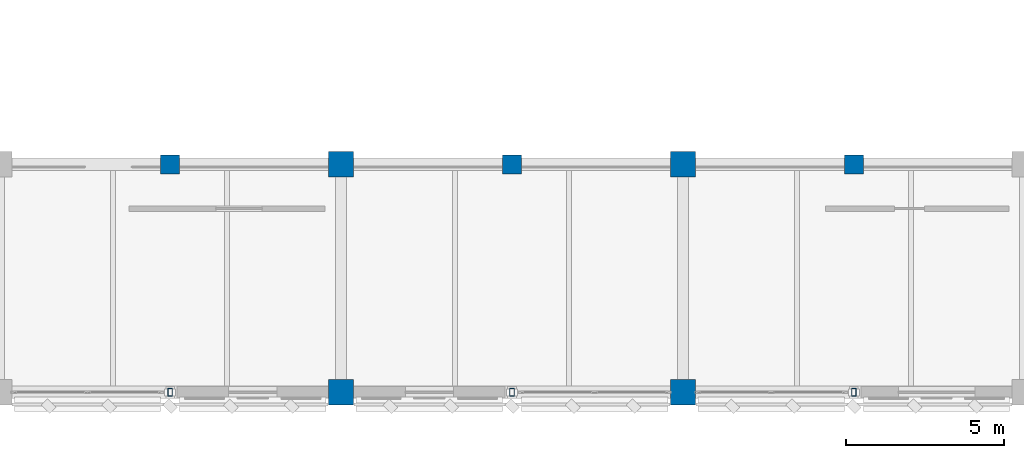
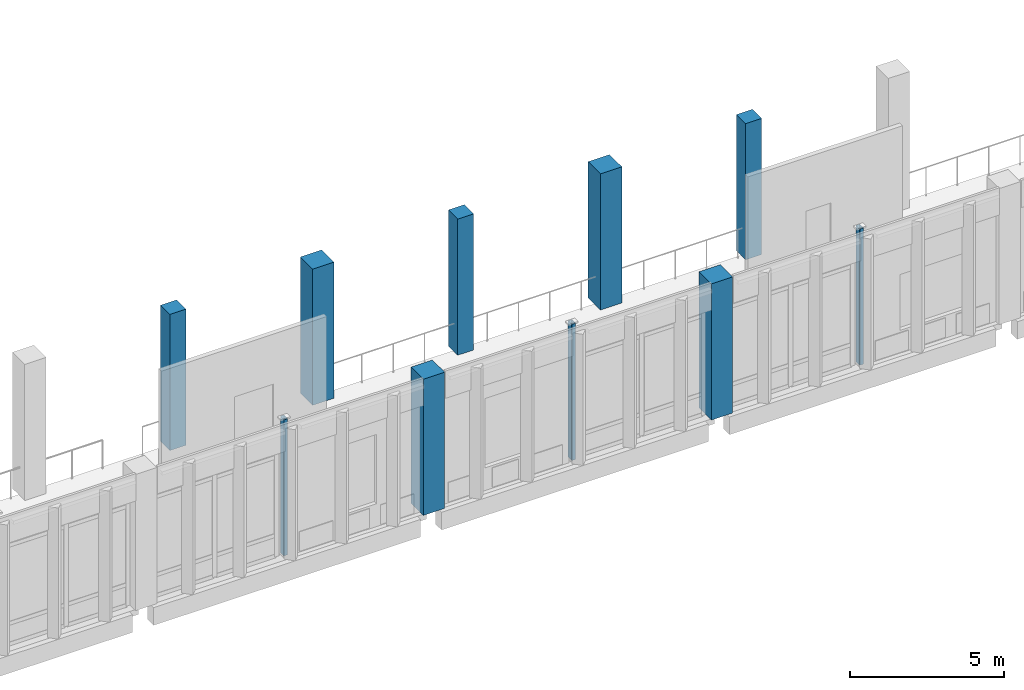
# One storey, part 3 of 180: 10 columns.
"""IFC4 building model written with IfcOpenShell, lengths in metres."""

from ifc_helpers import new_model, si_unit, direction, frame, origin, origin_2d, place, context, subcontext, project, spatial, rectangle, hollow_rectangle, extrude, material, material_profile, profile_set, type_object, element, save


model = new_model("IFC4")

# Units and contexts
model_context = context("Model", 3, precision=1e-05, world=origin(), true_north=direction((0.0, 1.0)))
body_context = subcontext(model_context, "Body", "Model", "MODEL_VIEW")
ifc_project = project(units=[si_unit("LENGTHUNIT", "METRE"), si_unit("AREAUNIT", "SQUARE_METRE"), si_unit("VOLUMEUNIT", "CUBIC_METRE"), si_unit("PLANEANGLEUNIT", "RADIAN"), si_unit("MASSUNIT", "GRAM", prefix="KILO")], contexts=[model_context])

# Site, building, storey
site_placement = place(None, origin())
site = spatial("IfcSite", under=ifc_project, at=site_placement, CompositionType="ELEMENT")
building_placement = place(site_placement, origin())
building = spatial("IfcBuilding", under=site, at=building_placement, Name="Lusvemor Sports Hall", CompositionType="ELEMENT")
storey_placement = place(building_placement, frame((0.0, 0.0, 5.39990234375)))
storey = spatial("IfcBuildingStorey", under=building, at=storey_placement, Name="L01", CompositionType="ELEMENT", Elevation=5.39990234375)

# Columns
ifc_material_1 = material(Name="Concrete C40/50", Category="concrete")
ifc_material_profile_1 = material_profile(ifc_material_1, rectangle(XDim=0.800048828125, YDim=0.800048828125, at=origin_2d()), Name="RC800x800")
ifc_profile_set_1 = profile_set([ifc_material_profile_1], Name="Concrete C40/50")
column_type_1 = type_object("IfcColumnType", Name="COL_HALL_W", PredefinedType="COLUMN", material=ifc_profile_set_1)
for number, where, z_axis, x_axis, name in (
    (1, (43.199951171875, 0.0, 0.0), (0.0, 0.0, 1.0), (1.0, 0.0, 0.0), "Column 5/A (L01)"),
    (2, (43.199951171875, 7.199951171875, 0.0), (0.0, 0.0, 1.0), (1.0, 0.0, 0.0), "Column 5/B (L01)"),
    (3, (54.0, 0.0, 0.0), (0.0, 0.0, 1.0), (1.0, 0.0, 0.0), "Column 6/A (L01)"),
    (4, (54.0, 7.199951171875, 0.0), (0.0, 0.0, 1.0), (1.0, 0.0, 0.0), "Column 6/B (L01)"),
):
    element("IfcColumn", number, at=place(storey_placement, frame(where, z_axis=z_axis, x_axis=x_axis)), inside=storey, type_object=column_type_1, Name=name, PredefinedType="COLUMN", context=body_context, shape_type="SweptSolid", body=[
        extrude(rectangle(XDim=0.800048828125, YDim=0.800048828125, at=origin_2d()), origin(), (0.0, 0.0, 1.0), 5.400146484375),
    ])
ifc_material_2 = material(Name="Concrete C40/50", Category="concrete")
ifc_material_profile_2 = material_profile(ifc_material_2, rectangle(XDim=0.60009765625, YDim=0.60009765625, at=origin_2d()), Name="RC600x600")
ifc_profile_set_2 = profile_set([ifc_material_profile_2], Name="Concrete C40/50")
column_type_2 = type_object("IfcColumnType", Name="COL_WING_L", PredefinedType="COLUMN", material=ifc_profile_set_2)
for number, where, z_axis, x_axis, name in (
    (5, (37.800048828125, 7.199951171875, 0.0), (0.0, 0.0, 1.0), (1.0, 0.0, 0.0), "Wave Mid-Bay Column S4 (L01)"),
    (6, (48.60009765625, 7.199951171875, 0.0), (0.0, 0.0, 1.0), (1.0, 0.0, 0.0), "Wave Mid-Bay Column S5 (L01)"),
    (7, (59.39990234375, 7.199951171875, 0.0), (0.0, 0.0, 1.0), (1.0, 0.0, 0.0), "Wave Mid-Bay Column S6 (L01)"),
):
    element("IfcColumn", number, at=place(storey_placement, frame(where, z_axis=z_axis, x_axis=x_axis)), inside=storey, type_object=column_type_2, Name=name, PredefinedType="COLUMN", context=body_context, shape_type="SweptSolid", body=[
        extrude(rectangle(XDim=0.60009765625, YDim=0.60009765625, at=origin_2d()), origin(), (0.0, 0.0, 1.0), 5.400146484375),
    ])
ifc_material_3 = material(Name="Steel S355", Category="steel")
ifc_material_profile_3 = material_profile(ifc_material_3, hollow_rectangle(XDim=0.14990234375, YDim=0.25, WallThickness=0.010009765625, InnerFilletRadius=0.010009765625, OuterFilletRadius=0.02001953125, at=origin_2d()), Name="RHS250x150x10")
ifc_profile_set_3 = profile_set([ifc_material_profile_3], Name="Steel S355")
column_type_3 = type_object("IfcColumnType", Name="PIL_COURT_E", PredefinedType="PILASTER", material=ifc_profile_set_3)
for number, where, z_axis, x_axis, name in (
    (8, (37.800048828125, 0.0, 0.0), (0.0, 0.0, 1.0), (1.0, 0.0, 0.0), "Boulevard Pilaster S3 (L01)"),
    (9, (48.60009765625, 0.0, 0.0), (0.0, 0.0, 1.0), (1.0, 0.0, 0.0), "Boulevard Pilaster S4 (L01)"),
    (10, (59.39990234375, 0.0, 0.0), (0.0, 0.0, 1.0), (1.0, 0.0, 0.0), "Boulevard Pilaster S5 (L01)"),
):
    element("IfcColumn", number, at=place(storey_placement, frame(where, z_axis=z_axis, x_axis=x_axis)), inside=storey, type_object=column_type_3, Name=name, PredefinedType="PILASTER", context=body_context, shape_type="SweptSolid", body=[
        extrude(hollow_rectangle(XDim=0.14990234375, YDim=0.25, WallThickness=0.010009765625, InnerFilletRadius=0.010009765625, OuterFilletRadius=0.02001953125, at=origin_2d()), origin(), (0.0, 0.0, 1.0), 5.400146484375),
    ])

save(model, "model.ifc")
